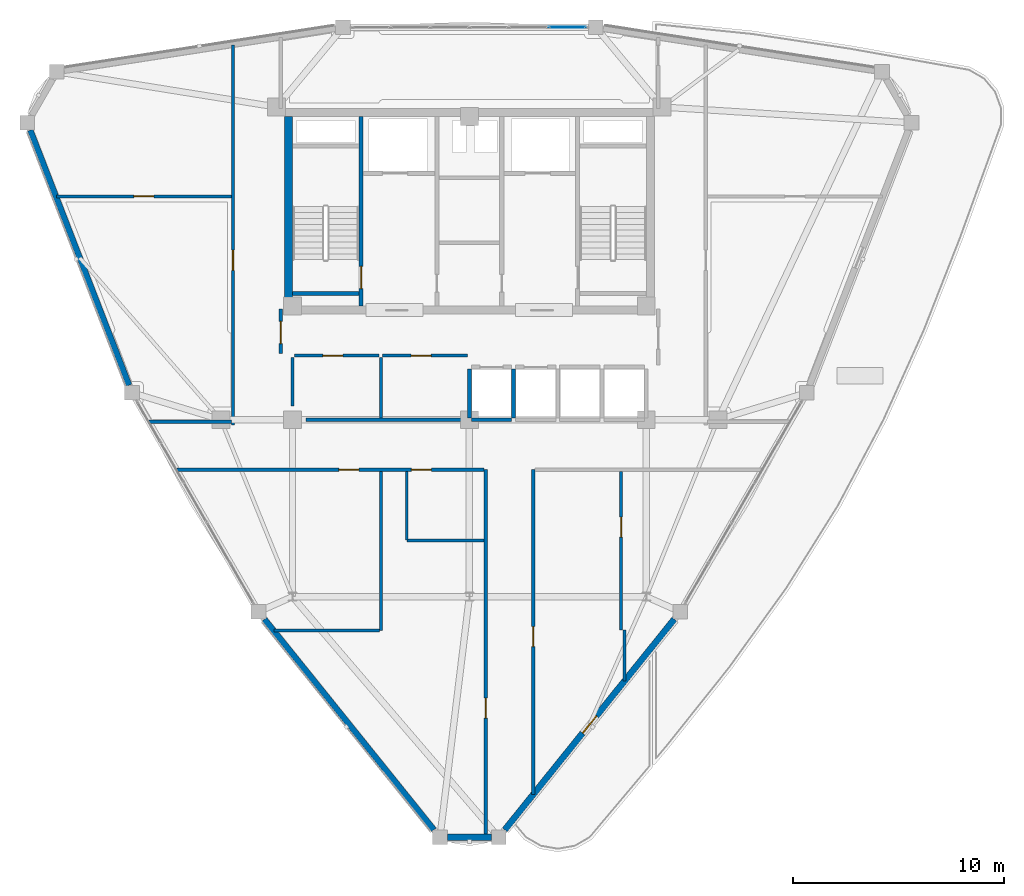
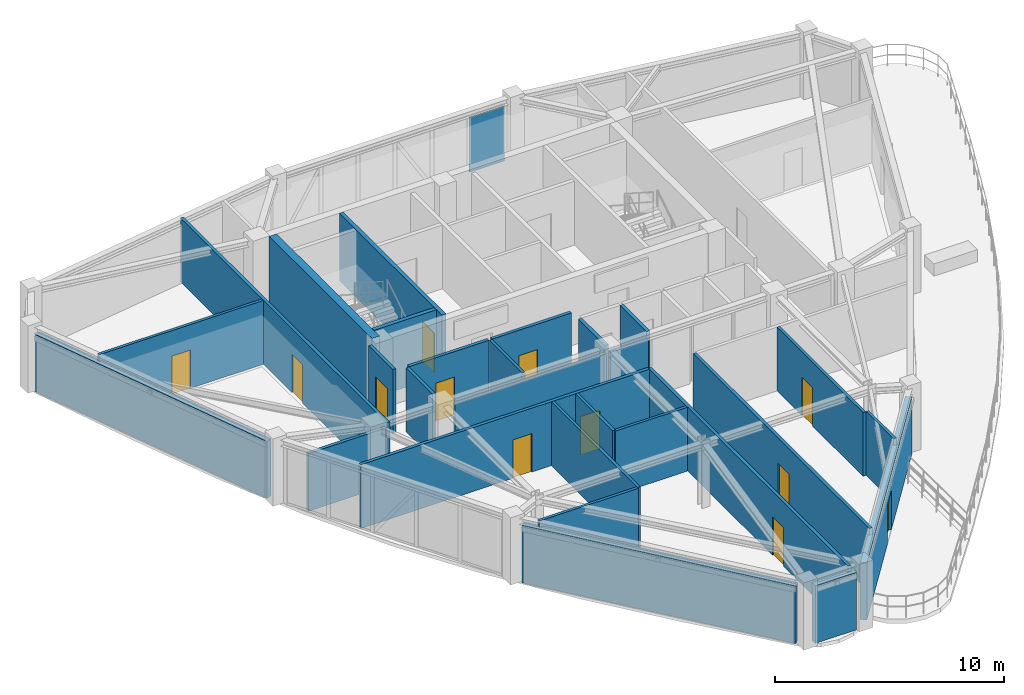
# One storey, part 11 of 16: 28 walls, 12 doors, 1 plate, 12 openings, 1 element without a shape of its own.
"""IFC4 building model written with IfcOpenShell, lengths in metres."""

from ifc_helpers import new_model, si_unit, derived_unit, direction, frame, frame_2d, origin, origin_2d, place, context, subcontext, project, spatial, rectangle, extrude, source, transform, mapped, material, layer, layer_set, type_object, element, fill, aggregate, save


model = new_model("IFC4")

# Units and contexts
model_context = context("Model", 3, precision=1e-05, world=origin(), true_north=direction((0.0, 1.0)))
body_context = subcontext(model_context, "Body", "Model", "MODEL_VIEW")
ifc_project = project(units=[si_unit("LENGTHUNIT", "METRE"), si_unit("AREAUNIT", "SQUARE_METRE"), si_unit("VOLUMEUNIT", "CUBIC_METRE"), si_unit("PLANEANGLEUNIT", "RADIAN"), si_unit("MASSUNIT", "GRAM", prefix="KILO"), derived_unit("THERMALTRANSMITTANCEUNIT", [(si_unit("POWERUNIT", "WATT"), 1), (si_unit("LENGTHUNIT", "METRE"), -2), (si_unit("THERMODYNAMICTEMPERATUREUNIT", "KELVIN"), -1)])], contexts=[model_context])

# Site, building, storey
site_placement = place(None, origin())
site = spatial("IfcSite", under=ifc_project, at=site_placement, CompositionType="ELEMENT")
building_placement = place(site_placement, origin())
building = spatial("IfcBuilding", under=site, at=building_placement, Name="Korsvarv Bourse and Concert Hall", CompositionType="ELEMENT")
storey_placement = place(building_placement, frame((0.0, 0.0, 243.0)))
storey = spatial("IfcBuildingStorey", under=building, at=storey_placement, Name="L63", CompositionType="ELEMENT", Elevation=243.0)

# Curtain wall, plate
ifc_material_1 = material(Name="Anodised aluminium and triple low-E glazing", Category="glass")
ifc_layer_1 = layer(ifc_material_1, 0.199951171875)
ifc_layer_set_1 = layer_set([ifc_layer_1], Name="Anodised aluminium and triple low-E glazing")
curtain_wall_type = type_object("IfcCurtainWallType", Name="CW-SYS-3", PredefinedType="NOTDEFINED", material=ifc_layer_set_1)
curtain_wall_placement = place(storey_placement, origin())
curtain_wall = element("IfcCurtainWall", 1, at=curtain_wall_placement, inside=storey, type_object=curtain_wall_type, Name="L63 CW3 curtain wall CW-L63-F03", PredefinedType="NOTDEFINED")
ifc_material_2 = material(Name="Tempered triple insulated low-E architectural glass", Category="glass")
ifc_layer_2 = layer(ifc_material_2, 0.0380859375)
ifc_layer_set_2 = layer_set([ifc_layer_2], Name="Tempered triple insulated low-E architectural glass")
plate_type = type_object("IfcPlateType", Name="CWP-VIS2", PredefinedType="CURTAIN_PANEL", material=ifc_layer_set_2)
shared_shape = source(origin(), body_context, "Body", "SweptSolid", [
    extrude(rectangle(XDim=1.76318359375, YDim=0.0380859375, at=origin_2d()), origin(), (0.0, 0.0, 1.0), 2.949951171875),
])
plate_placement = place(storey_placement, frame((40.65283203125, 51.03271484375, 0.06494140625), z_axis=(0.0, 0.0, 1.0), x_axis=(-1.0, 0.0, 0.0)))
plate = element("IfcPlate", 2, at=plate_placement, type_object=plate_type, Name="CW3 faceted panel 1.1", PredefinedType="CURTAIN_PANEL", context=body_context, shape_type="MappedRepresentation", body=[
    mapped(shared_shape, transform((0.0, 0.0, 0.0), scale=1.0)),
])
aggregate(curtain_wall, [plate])

# Wall
ifc_material_3 = material(Name="Concrete C50/60", Category="concrete")
ifc_layer_3 = layer(ifc_material_3, 0.3798828125)
ifc_layer_set_3 = layer_set([ifc_layer_3], Name="Concrete C50/60")
wall_type_1 = type_object("IfcWallType", Name="WL-CORE-380", PredefinedType="SHEAR", material=ifc_layer_set_3)
wall_1_placement = place(storey_placement, frame((27.409912109375, 37.800048828125, 0.0), z_axis=(0.0, 0.0, 1.0), x_axis=(0.0, 1.0, 0.0)))
element("IfcWall", 3, at=wall_1_placement, inside=storey, type_object=wall_type_1, Name="L63 West Core Shear Wall", PredefinedType="SHEAR", context=body_context, shape_type="SweptSolid", body=[
    extrude(rectangle(XDim=9.0, YDim=0.3798828125, at=frame_2d((4.5, 0.0))), origin(), (0.0, 0.0, 1.0), 3.60009765625),
])

# Wall, opening, door
wall_2_placement = place(storey_placement, frame((30.860107421875, 37.81005859375, 0.0), z_axis=(0.0, 0.0, 1.0), x_axis=(0.0, 1.0, 0.0)))
wall_2 = element("IfcWall", 4, at=wall_2_placement, inside=storey, type_object=wall_type_1, Name="L63 stair shaft structural wall W-L63-ST1-E", PredefinedType="SHEAR", context=body_context, shape_type="SweptSolid", body=[
    extrude(rectangle(XDim=8.97998046875, YDim=0.199951171875, at=frame_2d((4.489990234375, 0.0))), origin(), (0.0, 0.0, 1.0), 3.60009765625),
])
opening_1_placement = place(wall_2_placement, frame((0.820068359375, 0.0, 0.0)))
opening_1 = element("IfcOpeningElement", 5, at=opening_1_placement, cuts=wall_2, Name="Opening D-01", PredefinedType="OPENING", context=body_context, shape_type="SweptSolid", body=[
    extrude(rectangle(XDim=1.050048828125, YDim=2.10009765625, at=frame_2d((0.52490234375, 1.050048828125))), frame((0.0, 0.10986328125, 0.0), z_axis=(0.0, -1.0, 0.0), x_axis=(1.0, 0.0, 0.0)), (0.0, 0.0, 1.0), 0.219970703125),
])
ifc_material_4 = material(Name="Steel S355 fire door", Category="steel")
door_type_1 = type_object("IfcDoorType", Name="DR-FD60", OperationType="NOTDEFINED", PredefinedType="DOOR", material=ifc_material_4)
door_1_placement = place(opening_1_placement, origin())
door_1 = element("IfcDoor", 6, at=door_1_placement, inside=storey, type_object=door_type_1, Name="L63 interior door DR-L63-ST1", OperationType="SINGLE_SWING_RIGHT", OverallHeight=2.10009765625, OverallWidth=1.050048828125, PredefinedType="DOOR", context=body_context, shape_type="SweptSolid", body=[
    extrude(rectangle(XDim=1.050048828125, YDim=2.10009765625, at=frame_2d((0.52490234375, 1.050048828125))), frame((0.0, 0.02490234375, 0.0), z_axis=(0.0, -1.0, 0.0), x_axis=(1.0, 0.0, 0.0)), (0.0, 0.0, 1.0), 0.050048828125),
])
fill(opening_1, door_1)

# Walls
wall_3_placement = place(storey_placement, frame((27.610107421875, 38.39990234375, 0.0), z_axis=(0.0, 0.0, 1.0), x_axis=(1.0, 0.0, 0.0)))
element("IfcWall", 7, at=wall_3_placement, inside=storey, type_object=wall_type_1, Name="L63 stair shaft structural wall W-L63-ST1-S", PredefinedType="SHEAR", context=body_context, shape_type="SweptSolid", body=[
    extrude(rectangle(XDim=3.139892578125, YDim=0.199951171875, at=frame_2d((1.56982421875, 0.0))), origin(), (0.0, 0.0, 1.0), 3.60009765625),
])
ifc_material_5 = material(Name="Precast concrete C45/55 with terracotta rainscreen", Category="concrete")
ifc_layer_4 = layer(ifc_material_5, 0.300048828125)
ifc_layer_set_4 = layer_set([ifc_layer_4], Name="Precast concrete C45/55 with terracotta rainscreen")
wall_type_2 = type_object("IfcWallType", Name="WL-EXT-TC1", PredefinedType="SOLIDWALL", material=ifc_layer_set_4)
wall_4_placement = place(storey_placement, frame((34.95751953125, 12.572265625, 0.0), z_axis=(0.0, 0.0, 1.0), x_axis=(1.0, 0.0, 0.0)))
element("IfcWall", 8, at=wall_4_placement, inside=storey, type_object=wall_type_2, Name="L63 terracotta exterior wall EW-L63-B09", PredefinedType="SOLIDWALL", context=body_context, shape_type="SweptSolid", body=[
    extrude(rectangle(XDim=2.0849609375, YDim=0.300048828125, at=frame_2d((1.04248046875, 0.0))), origin(), (0.0, 0.0, 1.0), 3.080078125),
])

# Wall, opening, door
wall_5_placement = place(storey_placement, frame((37.68310546875, 12.92724609375, 0.0), z_axis=(0.0, 0.0, 1.0), x_axis=(0.626898207352, 0.779101172903, 0.0)))
wall_5 = element("IfcWall", 9, at=wall_5_placement, inside=storey, type_object=wall_type_2, Name="L63 terracotta exterior wall EW-L63-B10", PredefinedType="SOLIDWALL", context=body_context, shape_type="SweptSolid", body=[
    extrude(rectangle(XDim=12.837158203125, YDim=0.300048828125, at=frame_2d((6.41845703125, 0.0))), origin(), (0.0, 0.0, 1.0), 3.050048828125),
])
opening_2_placement = place(wall_5_placement, frame((5.8935546875, 0.0, 0.0)))
opening_2 = element("IfcOpeningElement", 10, at=opening_2_placement, cuts=wall_5, Name="Opening ED-02", PredefinedType="OPENING", context=body_context, shape_type="SweptSolid", body=[
    extrude(rectangle(XDim=1.050048828125, YDim=2.10009765625, at=frame_2d((0.52490234375, 1.050048828125))), frame((0.0, 0.16015625, 0.0), z_axis=(0.0, -1.0, 0.0), x_axis=(1.0, 0.0, 0.0)), (0.0, 0.0, 1.0), 0.320068359375),
])
ifc_material_6 = material(Name="Thermally broken anodised aluminium and laminated safety glass", Category="aluminium")
door_type_2 = type_object("IfcDoorType", Name="DR-EXT-TERR", OperationType="NOTDEFINED", PredefinedType="DOOR", material=ifc_material_6)
door_2_placement = place(opening_2_placement, frame((1.050048828125, 0.0, 0.0), z_axis=(0.0, 0.0, 1.0), x_axis=(-1.0, 0.0, 0.0)))
door_2 = element("IfcDoor", 11, at=door_2_placement, inside=storey, type_object=door_type_2, Name="L63 Sky Garden Terrace Access Door", OperationType="SINGLE_SWING_RIGHT", OverallHeight=2.10009765625, OverallWidth=1.050048828125, PredefinedType="DOOR", context=body_context, shape_type="SweptSolid", body=[
    extrude(rectangle(XDim=1.050048828125, YDim=2.10009765625, at=frame_2d((0.52490234375, 1.050048828125))), frame((0.0, 0.02490234375, 0.0), z_axis=(0.0, -1.0, 0.0), x_axis=(1.0, 0.0, 0.0)), (0.0, 0.0, 1.0), 0.050048828125),
])
fill(opening_2, door_2)

# Walls
ifc_material_7 = material(Name="Precast concrete C45/55 with fluted terracotta pier", Category="concrete")
ifc_layer_5 = layer(ifc_material_7, 0.280029296875)
ifc_layer_set_5 = layer_set([ifc_layer_5], Name="Precast concrete C45/55 with fluted terracotta pier")
wall_type_3 = type_object("IfcWallType", Name="WL-EXT-TC2", PredefinedType="SOLIDWALL", material=ifc_layer_set_5)
wall_6_placement = place(storey_placement, frame((15.149658203125, 46.148681640625, 0.0), z_axis=(0.0, 0.0, 1.0), x_axis=(0.361269378379, -0.93246149317, 0.0)))
element("IfcWall", 12, at=wall_6_placement, inside=storey, type_object=wall_type_3, Name="L63 terracotta exterior wall EW-L63-B06", PredefinedType="SOLIDWALL", context=body_context, shape_type="SweptSolid", body=[
    extrude(rectangle(XDim=12.9873046875, YDim=0.280029296875, at=frame_2d((6.49365234375, 0.0))), origin(), (0.0, 0.0, 1.0), 3.050048828125),
])
wall_7_placement = place(storey_placement, frame((26.269287109375, 22.9287109375, 0.0), z_axis=(0.0, 0.0, 1.0), x_axis=(0.626898207352, -0.779101172903, 0.0)))
element("IfcWall", 13, at=wall_7_placement, inside=storey, type_object=wall_type_3, Name="L63 terracotta exterior wall EW-L63-B08", PredefinedType="SOLIDWALL", context=body_context, shape_type="SweptSolid", body=[
    extrude(rectangle(XDim=12.837158203125, YDim=0.280029296875, at=frame_2d((6.41845703125, 0.0))), origin(), (0.0, 0.0, 1.0), 3.080078125),
])
ifc_material_8 = material(Name="Double-stud fire-rated acoustic partition", Category="gypsum")
ifc_layer_6 = layer(ifc_material_8, 0.159912109375)
ifc_layer_set_6 = layer_set([ifc_layer_6], Name="Double-stud fire-rated acoustic partition")
wall_type_4 = type_object("IfcWallType", Name="WL-INT-EI60", PredefinedType="PARTITIONING", material=ifc_layer_set_6)
wall_8_placement = place(storey_placement, frame((28.25, 32.39990234375, 0.0), z_axis=(0.0, 0.0, 1.0), x_axis=(1.0, 0.0, 0.0)))
element("IfcWall", 14, at=wall_8_placement, inside=storey, type_object=wall_type_4, Name="L63 interior partition wall W-L63-FRD-S", PredefinedType="PARTITIONING", context=body_context, shape_type="SweptSolid", body=[
    extrude(rectangle(XDim=7.64990234375, YDim=0.159912109375, at=frame_2d((3.824951171875, 0.0))), origin(), (0.0, 0.0, 1.0), 3.080078125),
])
wall_9_placement = place(storey_placement, frame((27.60009765625, 33.050048828125, 0.0), z_axis=(0.0, 0.0, 1.0), x_axis=(0.0, 1.0, 0.0)))
element("IfcWall", 15, at=wall_9_placement, inside=storey, type_object=wall_type_4, Name="L63 interior partition wall W-L63-FRD-W", PredefinedType="PARTITIONING", context=body_context, shape_type="SweptSolid", body=[
    extrude(rectangle(XDim=2.31005859375, YDim=0.159912109375, at=frame_2d((1.155029296875, 0.0))), origin(), (0.0, 0.0, 1.0), 3.409912109375),
])

# Wall, opening, door
wall_10_placement = place(storey_placement, frame((27.68994140625, 35.449951171875, 0.0), z_axis=(0.0, 0.0, 1.0), x_axis=(1.0, 0.0, 0.0)))
wall_10 = element("IfcWall", 16, at=wall_10_placement, inside=storey, type_object=wall_type_4, Name="L63 interior partition wall W-L63-FRD-N1", PredefinedType="PARTITIONING", context=body_context, shape_type="SweptSolid", body=[
    extrude(rectangle(XDim=4.030029296875, YDim=0.159912109375, at=frame_2d((2.01513671875, 0.0))), origin(), (0.0, 0.0, 1.0), 3.409912109375),
])
opening_3_placement = place(wall_10_placement, frame((1.35009765625, 0.0, 0.0)))
opening_3 = element("IfcOpeningElement", 17, at=opening_3_placement, cuts=wall_10, Name="Opening D-03", PredefinedType="OPENING", context=body_context, shape_type="SweptSolid", body=[
    extrude(rectangle(XDim=0.949951171875, YDim=2.050048828125, at=frame_2d((0.47509765625, 1.02490234375))), frame((0.0, 0.08984375, 0.0), z_axis=(0.0, -1.0, 0.0), x_axis=(1.0, 0.0, 0.0)), (0.0, 0.0, 1.0), 0.179931640625),
])
ifc_material_9 = material(Name="Nordic oak acoustic office door", Category="wood")
door_type_3 = type_object("IfcDoorType", Name="DR-INT-1", OperationType="NOTDEFINED", PredefinedType="DOOR", material=ifc_material_9)
door_3_placement = place(opening_3_placement, origin())
door_3 = element("IfcDoor", 18, at=door_3_placement, inside=storey, type_object=door_type_3, Name="L63 interior door DR-L63-FRDN1", OperationType="SINGLE_SWING_RIGHT", OverallHeight=2.050048828125, OverallWidth=0.949951171875, PredefinedType="DOOR", context=body_context, shape_type="SweptSolid", body=[
    extrude(rectangle(XDim=0.949951171875, YDim=2.050048828125, at=frame_2d((0.47509765625, 1.02490234375))), frame((0.0, 0.02490234375, 0.0), z_axis=(0.0, -1.0, 0.0), x_axis=(1.0, 0.0, 0.0)), (0.0, 0.0, 1.0), 0.050048828125),
])
fill(opening_3, door_3)

wall_11_placement = place(storey_placement, frame((31.8798828125, 35.449951171875, 0.0), z_axis=(0.0, 0.0, 1.0), x_axis=(1.0, 0.0, 0.0)))
wall_11 = element("IfcWall", 19, at=wall_11_placement, inside=storey, type_object=wall_type_4, Name="L63 interior partition wall W-L63-FRD-N2", PredefinedType="PARTITIONING", context=body_context, shape_type="SweptSolid", body=[
    extrude(rectangle(XDim=4.02001953125, YDim=0.159912109375, at=frame_2d((2.010009765625, 0.0))), origin(), (0.0, 0.0, 1.0), 3.409912109375),
])
opening_4_placement = place(wall_11_placement, frame((1.35009765625, 0.0, 0.0)))
opening_4 = element("IfcOpeningElement", 20, at=opening_4_placement, cuts=wall_11, Name="Opening D-03", PredefinedType="OPENING", context=body_context, shape_type="SweptSolid", body=[
    extrude(rectangle(XDim=0.949951171875, YDim=2.050048828125, at=frame_2d((0.47509765625, 1.02490234375))), frame((0.0, 0.08984375, 0.0), z_axis=(0.0, -1.0, 0.0), x_axis=(1.0, 0.0, 0.0)), (0.0, 0.0, 1.0), 0.179931640625),
])
door_4_placement = place(opening_4_placement, origin())
door_4 = element("IfcDoor", 21, at=door_4_placement, inside=storey, type_object=door_type_3, Name="L63 interior door DR-L63-FRDN2", OperationType="SINGLE_SWING_LEFT", OverallHeight=2.050048828125, OverallWidth=0.949951171875, PredefinedType="DOOR", context=body_context, shape_type="SweptSolid", body=[
    extrude(rectangle(XDim=0.949951171875, YDim=2.050048828125, at=frame_2d((0.47509765625, 1.02490234375))), frame((0.0, 0.02490234375, 0.0), z_axis=(0.0, -1.0, 0.0), x_axis=(1.0, 0.0, 0.0)), (0.0, 0.0, 1.0), 0.050048828125),
])
fill(opening_4, door_4)

wall_12_placement = place(storey_placement, frame((27.0400390625, 35.5400390625, 0.0), z_axis=(0.0, 0.0, 1.0), x_axis=(0.0, 1.0, 0.0)))
wall_12 = element("IfcWall", 22, at=wall_12_placement, inside=storey, type_object=wall_type_4, Name="L63 interior partition wall W-L63-LOB-WL", PredefinedType="PARTITIONING", context=body_context, shape_type="SweptSolid", body=[
    extrude(rectangle(XDim=2.10986328125, YDim=0.159912109375, at=frame_2d((1.054931640625, 0.0))), origin(), (0.0, 0.0, 1.0), 3.409912109375),
])
opening_5_placement = place(wall_12_placement, frame((0.47998046875, 0.0, 0.0)))
opening_5 = element("IfcOpeningElement", 23, at=opening_5_placement, cuts=wall_12, Name="Opening D-01", PredefinedType="OPENING", context=body_context, shape_type="SweptSolid", body=[
    extrude(rectangle(XDim=1.050048828125, YDim=2.10009765625, at=frame_2d((0.52490234375, 1.050048828125))), frame((0.0, 0.08984375, 0.0), z_axis=(0.0, -1.0, 0.0), x_axis=(1.0, 0.0, 0.0)), (0.0, 0.0, 1.0), 0.179931640625),
])
door_5_placement = place(opening_5_placement, frame((1.050048828125, 0.0, 0.0), z_axis=(0.0, 0.0, 1.0), x_axis=(-1.0, 0.0, 0.0)))
door_5 = element("IfcDoor", 24, at=door_5_placement, inside=storey, type_object=door_type_1, Name="L63 interior door DR-L63-LOBW", OperationType="SINGLE_SWING_RIGHT", OverallHeight=2.10009765625, OverallWidth=1.050048828125, PredefinedType="DOOR", context=body_context, shape_type="SweptSolid", body=[
    extrude(rectangle(XDim=1.050048828125, YDim=2.10009765625, at=frame_2d((0.52490234375, 1.050048828125))), frame((0.0, 0.02490234375, 0.0), z_axis=(0.0, -1.0, 0.0), x_axis=(1.0, 0.0, 0.0)), (0.0, 0.0, 1.0), 0.050048828125),
])
fill(opening_5, door_5)

wall_13_placement = place(storey_placement, frame((24.77490234375, 32.159912109375, 0.0), z_axis=(0.0, 0.0, 1.0), x_axis=(0.0, 1.0, 0.0)))
wall_13 = element("IfcWall", 25, at=wall_13_placement, inside=storey, type_object=wall_type_4, Name="L63 interior partition wall W-L63-TCOR-02", PredefinedType="PARTITIONING", context=body_context, shape_type="SweptSolid", body=[
    extrude(rectangle(XDim=18.04248046875, YDim=0.159912109375, at=frame_2d((9.021240234375, 0.0))), origin(), (0.0, 0.0, 1.0), 3.409912109375),
])
opening_6_placement = place(wall_13_placement, frame((7.340087890625, 0.0, 0.0)))
opening_6 = element("IfcOpeningElement", 26, at=opening_6_placement, cuts=wall_13, Name="Opening D-02", PredefinedType="OPENING", context=body_context, shape_type="SweptSolid", body=[
    extrude(rectangle(XDim=0.949951171875, YDim=2.050048828125, at=frame_2d((0.47509765625, 1.02490234375))), frame((0.0, 0.08984375, 0.0), z_axis=(0.0, -1.0, 0.0), x_axis=(1.0, 0.0, 0.0)), (0.0, 0.0, 1.0), 0.179931640625),
])
ifc_material_10 = material(Name="Timber and steel acoustic fire door", Category="wood")
door_type_4 = type_object("IfcDoorType", Name="DR-FD30", OperationType="NOTDEFINED", PredefinedType="DOOR", material=ifc_material_10)
door_6_placement = place(opening_6_placement, origin())
door_6 = element("IfcDoor", 27, at=door_6_placement, inside=storey, type_object=door_type_4, Name="L63 interior door DR-L63-TCOR-PR58", OperationType="SINGLE_SWING_LEFT", OverallHeight=2.050048828125, OverallWidth=0.949951171875, PredefinedType="DOOR", context=body_context, shape_type="SweptSolid", body=[
    extrude(rectangle(XDim=0.949951171875, YDim=2.050048828125, at=frame_2d((0.47509765625, 1.02490234375))), frame((0.0, 0.02490234375, 0.0), z_axis=(0.0, -1.0, 0.0), x_axis=(1.0, 0.0, 0.0)), (0.0, 0.0, 1.0), 0.050048828125),
])
fill(opening_6, door_6)

wall_14_placement = place(storey_placement, frame((36.77490234375, 12.59228515625, 0.0), z_axis=(0.0, 0.0, 1.0), x_axis=(0.0, 1.0, 0.0)))
wall_14 = element("IfcWall", 28, at=wall_14_placement, inside=storey, type_object=wall_type_4, Name="L63 interior partition wall W-L63-TCOR-03", PredefinedType="PARTITIONING", context=body_context, shape_type="SweptSolid", body=[
    extrude(rectangle(XDim=17.437744140625, YDim=0.159912109375, at=frame_2d((8.71875, 0.0))), origin(), (0.0, 0.0, 1.0), 3.409912109375),
])
opening_7_placement = place(wall_14_placement, frame((5.639892578125, 0.0, 0.0)))
opening_7 = element("IfcOpeningElement", 29, at=opening_7_placement, cuts=wall_14, Name="Opening D-02", PredefinedType="OPENING", context=body_context, shape_type="SweptSolid", body=[
    extrude(rectangle(XDim=0.949951171875, YDim=2.050048828125, at=frame_2d((0.47509765625, 1.02490234375))), frame((0.0, 0.08984375, 0.0), z_axis=(0.0, -1.0, 0.0), x_axis=(1.0, 0.0, 0.0)), (0.0, 0.0, 1.0), 0.179931640625),
])
door_7_placement = place(opening_7_placement, origin())
door_7 = element("IfcDoor", 30, at=door_7_placement, inside=storey, type_object=door_type_4, Name="L63 interior door DR-L63-TCOR-PR37", OperationType="SINGLE_SWING_RIGHT", OverallHeight=2.050048828125, OverallWidth=0.949951171875, PredefinedType="DOOR", context=body_context, shape_type="SweptSolid", body=[
    extrude(rectangle(XDim=0.949951171875, YDim=2.050048828125, at=frame_2d((0.47509765625, 1.02490234375))), frame((0.0, 0.02490234375, 0.0), z_axis=(0.0, -1.0, 0.0), x_axis=(1.0, 0.0, 0.0)), (0.0, 0.0, 1.0), 0.050048828125),
])
fill(opening_7, door_7)

wall_15_placement = place(storey_placement, frame((39.02490234375, 14.614990234375, 0.0), z_axis=(0.0, 0.0, 1.0), x_axis=(0.0, 1.0, 0.0)))
wall_15 = element("IfcWall", 31, at=wall_15_placement, inside=storey, type_object=wall_type_4, Name="L63 interior partition wall W-L63-TCOR-04", PredefinedType="PARTITIONING", context=body_context, shape_type="SweptSolid", body=[
    extrude(rectangle(XDim=15.4150390625, YDim=0.159912109375, at=frame_2d((7.70751953125, 0.0))), origin(), (0.0, 0.0, 1.0), 3.409912109375),
])
opening_8_placement = place(wall_15_placement, frame((7.0166015625, 0.0, 0.0)))
opening_8 = element("IfcOpeningElement", 32, at=opening_8_placement, cuts=wall_15, Name="Opening D-02", PredefinedType="OPENING", context=body_context, shape_type="SweptSolid", body=[
    extrude(rectangle(XDim=0.949951171875, YDim=2.050048828125, at=frame_2d((0.47509765625, 1.02490234375))), frame((0.0, 0.08984375, 0.0), z_axis=(0.0, -1.0, 0.0), x_axis=(1.0, 0.0, 0.0)), (0.0, 0.0, 1.0), 0.179931640625),
])
door_8_placement = place(opening_8_placement, origin())
door_8 = element("IfcDoor", 33, at=door_8_placement, inside=storey, type_object=door_type_4, Name="L63 interior door DR-L63-TCOR-PR23", OperationType="SINGLE_SWING_LEFT", OverallHeight=2.050048828125, OverallWidth=0.949951171875, PredefinedType="DOOR", context=body_context, shape_type="SweptSolid", body=[
    extrude(rectangle(XDim=0.949951171875, YDim=2.050048828125, at=frame_2d((0.47509765625, 1.02490234375))), frame((0.0, 0.02490234375, 0.0), z_axis=(0.0, -1.0, 0.0), x_axis=(1.0, 0.0, 0.0)), (0.0, 0.0, 1.0), 0.050048828125),
])
fill(opening_8, door_8)

# Wall, openings, doors
wall_16_placement = place(storey_placement, frame((22.111328125, 30.02490234375, 0.0), z_axis=(0.0, 0.0, 1.0), x_axis=(1.0, 0.0, 0.0)))
wall_16 = element("IfcWall", 34, at=wall_16_placement, inside=storey, type_object=wall_type_4, Name="L63 interior partition wall W-L63-TCOR-05", PredefinedType="PARTITIONING", context=body_context, shape_type="SweptSolid", body=[
    extrude(rectangle(XDim=14.581787109375, YDim=0.159912109375, at=frame_2d((7.291015625, 0.0))), origin(), (0.0, 0.0, 1.0), 3.409912109375),
])
opening_9_placement = place(wall_16_placement, frame((11.128662109375, 0.0, 0.0)))
opening_9 = element("IfcOpeningElement", 35, at=opening_9_placement, cuts=wall_16, Name="Opening D-02", PredefinedType="OPENING", context=body_context, shape_type="SweptSolid", body=[
    extrude(rectangle(XDim=0.949951171875, YDim=2.050048828125, at=frame_2d((0.47509765625, 1.02490234375))), frame((0.0, 0.08984375, 0.0), z_axis=(0.0, -1.0, 0.0), x_axis=(1.0, 0.0, 0.0)), (0.0, 0.0, 1.0), 0.179931640625),
])
opening_10_placement = place(wall_16_placement, frame((7.689697265625, 0.0, 0.0)))
opening_10 = element("IfcOpeningElement", 36, at=opening_10_placement, cuts=wall_16, Name="Opening D-02", PredefinedType="OPENING", context=body_context, shape_type="SweptSolid", body=[
    extrude(rectangle(XDim=0.949951171875, YDim=2.050048828125, at=frame_2d((0.47509765625, 1.02490234375))), frame((0.0, 0.08984375, 0.0), z_axis=(0.0, -1.0, 0.0), x_axis=(1.0, 0.0, 0.0)), (0.0, 0.0, 1.0), 0.179931640625),
])
door_9_placement = place(opening_9_placement, origin())
door_9 = element("IfcDoor", 37, at=door_9_placement, inside=storey, type_object=door_type_4, Name="L63 interior door DR-L63-TCOR-RWC", OperationType="SINGLE_SWING_RIGHT", OverallHeight=2.050048828125, OverallWidth=0.949951171875, PredefinedType="DOOR", context=body_context, shape_type="SweptSolid", body=[
    extrude(rectangle(XDim=0.949951171875, YDim=2.050048828125, at=frame_2d((0.47509765625, 1.02490234375))), frame((0.0, 0.02490234375, 0.0), z_axis=(0.0, -1.0, 0.0), x_axis=(1.0, 0.0, 0.0)), (0.0, 0.0, 1.0), 0.050048828125),
])
fill(opening_9, door_9)
door_10_placement = place(opening_10_placement, origin())
door_10 = element("IfcDoor", 38, at=door_10_placement, inside=storey, type_object=door_type_4, Name="L63 interior door DR-L63-TCOR-PR16", OperationType="SINGLE_SWING_LEFT", OverallHeight=2.050048828125, OverallWidth=0.949951171875, PredefinedType="DOOR", context=body_context, shape_type="SweptSolid", body=[
    extrude(rectangle(XDim=0.949951171875, YDim=2.050048828125, at=frame_2d((0.47509765625, 1.02490234375))), frame((0.0, 0.02490234375, 0.0), z_axis=(0.0, -1.0, 0.0), x_axis=(1.0, 0.0, 0.0)), (0.0, 0.0, 1.0), 0.050048828125),
])
fill(opening_10, door_10)

# Walls
wall_17_placement = place(storey_placement, frame((20.789306640625, 32.31494140625, 0.0), z_axis=(0.0, 0.0, 1.0), x_axis=(1.0, 0.0, 0.0)))
element("IfcWall", 39, at=wall_17_placement, inside=storey, type_object=wall_type_4, Name="L63 interior partition wall W-L63-TCOR-07", PredefinedType="PARTITIONING", context=body_context, shape_type="SweptSolid", body=[
    extrude(rectangle(XDim=3.90380859375, YDim=0.159912109375, at=frame_2d((1.951904296875, 0.0))), origin(), (0.0, 0.0, 1.0), 3.080078125),
])
ifc_material_11 = material(Name="Gypsum-clad autoclaved concrete shaft wall C30/37", Category="concrete")
ifc_layer_7 = layer(ifc_material_11, 0.179931640625)
ifc_layer_set_7 = layer_set([ifc_layer_7], Name="Gypsum-clad autoclaved concrete shaft wall C30/37")
wall_type_5 = type_object("IfcWallType", Name="WL-INT-EI90", PredefinedType="PARTITIONING", material=ifc_layer_set_7)
wall_18_placement = place(storey_placement, frame((36.090087890625, 32.39990234375, 0.0), z_axis=(0.0, 0.0, 1.0), x_axis=(1.0, 0.0, 0.0)))
element("IfcWall", 40, at=wall_18_placement, inside=storey, type_object=wall_type_5, Name="L63 interior partition wall W-L63-SHFS-PH1", PredefinedType="PARTITIONING", context=body_context, shape_type="SweptSolid", body=[
    extrude(rectangle(XDim=1.919921875, YDim=0.179931640625, at=frame_2d((0.9599609375, 0.0))), origin(), (0.0, 0.0, 1.0), 3.080078125),
])
for number, where, z_axis, x_axis, name in (
    (41, (36.0, 32.489990234375, 0.0), (0.0, 0.0, 1.0), (0.0, 1.0, 0.0), "L63 interior partition wall W-L63-SHFW-PH1"),
    (42, (38.10009765625, 32.489990234375, 0.0), (0.0, 0.0, 1.0), (0.0, 1.0, 0.0), "L63 interior partition wall W-L63-SHFW-PH2"),
):
    element("IfcWall", number, at=place(storey_placement, frame(where, z_axis=z_axis, x_axis=x_axis)), inside=storey, type_object=wall_type_5, Name=name, PredefinedType="PARTITIONING", context=body_context, shape_type="SweptSolid", body=[
        extrude(rectangle(XDim=2.320068359375, YDim=0.179931640625, at=frame_2d((1.16015625, 0.0))), origin(), (0.0, 0.0, 1.0), 3.409912109375),
    ])
ifc_material_12 = material(Name="Insulated steel-stud office acoustic partition", Category="gypsum")
ifc_layer_8 = layer(ifc_material_12, 0.139892578125)
ifc_layer_set_8 = layer_set([ifc_layer_8], Name="Insulated steel-stud office acoustic partition")
wall_type_6 = type_object("IfcWallType", Name="WL-INT-P1", PredefinedType="PARTITIONING", material=ifc_layer_set_8)
wall_19_placement = place(storey_placement, frame((31.800048828125, 32.489990234375, 0.0), z_axis=(0.0, 0.0, 1.0), x_axis=(0.0, 1.0, 0.0)))
element("IfcWall", 43, at=wall_19_placement, inside=storey, type_object=wall_type_6, Name="L63 interior partition wall W-L63-FRD-V", PredefinedType="PARTITIONING", context=body_context, shape_type="SweptSolid", body=[
    extrude(rectangle(XDim=2.8701171875, YDim=0.139892578125, at=frame_2d((1.43505859375, 0.0))), origin(), (0.0, 0.0, 1.0), 3.409912109375),
])

# Wall, opening, door
wall_20_placement = place(storey_placement, frame((16.3876953125, 43.0048828125, 0.0), z_axis=(0.0, 0.0, 1.0), x_axis=(1.0, 0.0, 0.0)))
wall_20 = element("IfcWall", 44, at=wall_20_placement, inside=storey, type_object=wall_type_6, Name="L63 interior partition wall W-L63-TCOR-11", PredefinedType="PARTITIONING", context=body_context, shape_type="SweptSolid", body=[
    extrude(rectangle(XDim=8.305419921875, YDim=0.139892578125, at=frame_2d((4.15283203125, 0.0))), origin(), (0.0, 0.0, 1.0), 3.409912109375),
])
opening_11_placement = place(wall_20_placement, frame((3.677978515625, 0.0, 0.0)))
opening_11 = element("IfcOpeningElement", 45, at=opening_11_placement, cuts=wall_20, Name="Opening D-03", PredefinedType="OPENING", context=body_context, shape_type="SweptSolid", body=[
    extrude(rectangle(XDim=0.949951171875, YDim=2.050048828125, at=frame_2d((0.47509765625, 1.02490234375))), frame((0.0, 0.080078125, 0.0), z_axis=(0.0, -1.0, 0.0), x_axis=(1.0, 0.0, 0.0)), (0.0, 0.0, 1.0), 0.159912109375),
])
door_11_placement = place(opening_11_placement, origin())
door_11 = element("IfcDoor", 46, at=door_11_placement, inside=storey, type_object=door_type_3, Name="L63 interior door DR-L63-TCOR-PR79", OperationType="SINGLE_SWING_LEFT", OverallHeight=2.050048828125, OverallWidth=0.949951171875, PredefinedType="DOOR", context=body_context, shape_type="SweptSolid", body=[
    extrude(rectangle(XDim=0.949951171875, YDim=2.050048828125, at=frame_2d((0.47509765625, 1.02490234375))), frame((0.0, 0.02490234375, 0.0), z_axis=(0.0, -1.0, 0.0), x_axis=(1.0, 0.0, 0.0)), (0.0, 0.0, 1.0), 0.050048828125),
])
fill(opening_11, door_11)

# Wall
wall_21_placement = place(storey_placement, frame((31.804931640625, 22.389892578125, 0.0), z_axis=(0.0, 0.0, 1.0), x_axis=(0.0, 1.0, 0.0)))
element("IfcWall", 47, at=wall_21_placement, inside=storey, type_object=wall_type_6, Name="L63 interior partition wall W-L63-TCOR-13", PredefinedType="PARTITIONING", context=body_context, shape_type="SweptSolid", body=[
    extrude(rectangle(XDim=7.55322265625, YDim=0.139892578125, at=frame_2d((3.776611328125, 0.0))), origin(), (0.0, 0.0, 1.0), 3.409912109375),
])

# Wall, opening, door
wall_22_placement = place(storey_placement, frame((43.205078125, 22.409912109375, 0.0), z_axis=(0.0, 0.0, 1.0), x_axis=(0.0, 1.0, 0.0)))
wall_22 = element("IfcWall", 48, at=wall_22_placement, inside=storey, type_object=wall_type_6, Name="L63 interior partition wall W-L63-TCOR-14", PredefinedType="PARTITIONING", context=body_context, shape_type="SweptSolid", body=[
    extrude(rectangle(XDim=7.533203125, YDim=0.139892578125, at=frame_2d((3.7666015625, 0.0))), origin(), (0.0, 0.0, 1.0), 3.409912109375),
])
opening_12_placement = place(wall_22_placement, frame((4.418701171875, 0.0, 0.0)))
opening_12 = element("IfcOpeningElement", 49, at=opening_12_placement, cuts=wall_22, Name="Opening D-03", PredefinedType="OPENING", context=body_context, shape_type="SweptSolid", body=[
    extrude(rectangle(XDim=0.949951171875, YDim=2.050048828125, at=frame_2d((0.47509765625, 1.02490234375))), frame((0.0, 0.080078125, 0.0), z_axis=(0.0, -1.0, 0.0), x_axis=(1.0, 0.0, 0.0)), (0.0, 0.0, 1.0), 0.159912109375),
])
door_12_placement = place(opening_12_placement, origin())
door_12 = element("IfcDoor", 50, at=door_12_placement, inside=storey, type_object=door_type_3, Name="L63 interior door DR-L63-TCOR-PR44", OperationType="SINGLE_SWING_LEFT", OverallHeight=2.050048828125, OverallWidth=0.949951171875, PredefinedType="DOOR", context=body_context, shape_type="SweptSolid", body=[
    extrude(rectangle(XDim=0.949951171875, YDim=2.050048828125, at=frame_2d((0.47509765625, 1.02490234375))), frame((0.0, 0.02490234375, 0.0), z_axis=(0.0, -1.0, 0.0), x_axis=(1.0, 0.0, 0.0)), (0.0, 0.0, 1.0), 0.050048828125),
])
fill(opening_12, door_12)

# Walls
wall_23_placement = place(storey_placement, frame((26.718505859375, 22.39501953125, 0.0), z_axis=(0.0, 0.0, 1.0), x_axis=(1.0, 0.0, 0.0)))
element("IfcWall", 51, at=wall_23_placement, inside=storey, type_object=wall_type_6, Name="L63 interior partition wall W-L63-TCOR-15", PredefinedType="PARTITIONING", context=body_context, shape_type="SweptSolid", body=[
    extrude(rectangle(XDim=5.014404296875, YDim=0.139892578125, at=frame_2d((2.50732421875, 0.0))), origin(), (0.0, 0.0, 1.0), 3.409912109375),
])
wall_24_placement = place(storey_placement, frame((33.0400390625, 26.675048828125, 0.0), z_axis=(0.0, 0.0, 1.0), x_axis=(1.0, 0.0, 0.0)))
element("IfcWall", 52, at=wall_24_placement, inside=storey, type_object=wall_type_6, Name="L63 interior partition wall W-L63-TCOR-16", PredefinedType="PARTITIONING", context=body_context, shape_type="SweptSolid", body=[
    extrude(rectangle(XDim=3.653076171875, YDim=0.139892578125, at=frame_2d((1.82666015625, 0.0))), origin(), (0.0, 0.0, 1.0), 3.409912109375),
])
wall_25_placement = place(storey_placement, frame((33.02490234375, 26.68994140625, 0.0), z_axis=(0.0, 0.0, 1.0), x_axis=(0.0, 1.0, 0.0)))
element("IfcWall", 53, at=wall_25_placement, inside=storey, type_object=wall_type_6, Name="L63 interior partition wall W-L63-TCOR-17", PredefinedType="PARTITIONING", context=body_context, shape_type="SweptSolid", body=[
    extrude(rectangle(XDim=3.253173828125, YDim=0.139892578125, at=frame_2d((1.62646484375, 0.0))), origin(), (0.0, 0.0, 1.0), 3.409912109375),
])
wall_26_placement = place(storey_placement, frame((43.362060546875, 20.0048828125, 0.0), z_axis=(0.0, 0.0, 1.0), x_axis=(0.000907715208, 0.999999588026, 0.0)))
element("IfcWall", 54, at=wall_26_placement, inside=storey, type_object=wall_type_6, Name="L63 interior partition wall W-L63-TCOR-18", PredefinedType="PARTITIONING", context=body_context, shape_type="SweptSolid", body=[
    extrude(rectangle(XDim=2.420654296875, YDim=0.139892578125, at=frame_2d((1.21044921875, 0.0))), origin(), (0.0, 0.0, 1.0), 3.409912109375),
])

save(model, "model.ifc")
